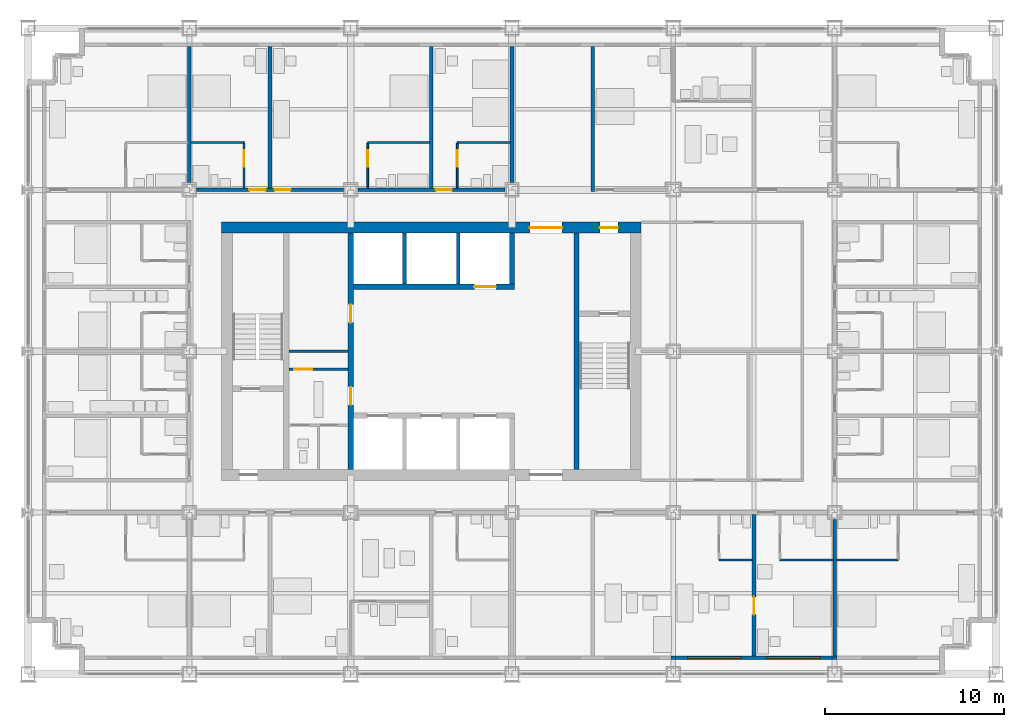
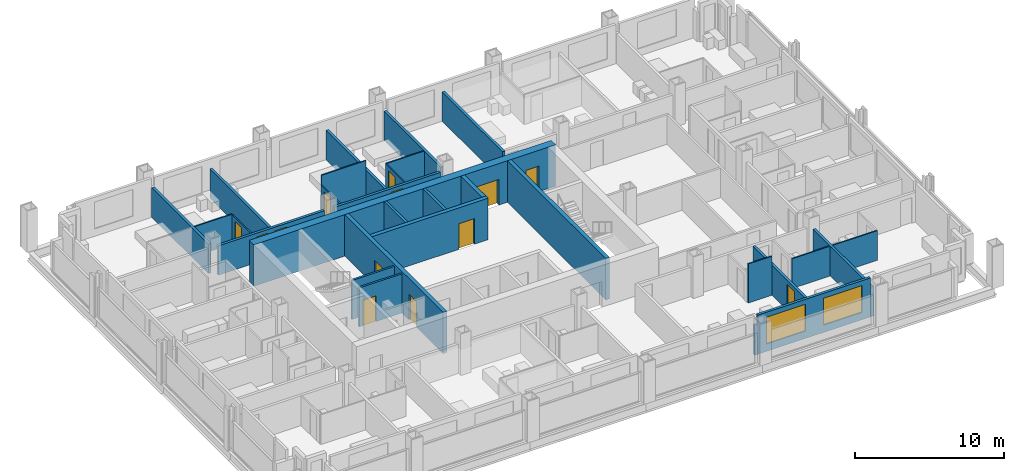
# One storey, part 12 of 18: 30 walls, 13 doors, 2 windows, 15 openings.
"""IFC4 building model written with IfcOpenShell, lengths in metres."""

from ifc_helpers import new_model, si_unit, direction, frame, frame_2d, origin, place, context, subcontext, project, spatial, rectangle, extrude, material, layer, layer_set, type_object, element, fill, save


model = new_model("IFC4")

# Units and contexts
model_context = context("Model", 3, precision=1e-05, world=origin(), true_north=direction((0.0, 1.0)))
body_context = subcontext(model_context, "Body", "Model", "MODEL_VIEW")
ifc_project = project(units=[si_unit("LENGTHUNIT", "METRE"), si_unit("AREAUNIT", "SQUARE_METRE"), si_unit("VOLUMEUNIT", "CUBIC_METRE"), si_unit("PLANEANGLEUNIT", "RADIAN"), si_unit("MASSUNIT", "GRAM", prefix="KILO")], contexts=[model_context])

# Site, building, storey
site_placement = place(None, origin())
site = spatial("IfcSite", under=ifc_project, at=site_placement, CompositionType="ELEMENT")
building_placement = place(site_placement, origin())
building = spatial("IfcBuilding", under=site, at=building_placement, Name="Loomwork Tower", CompositionType="ELEMENT")
storey_placement = place(building_placement, frame((0.0, 0.0, 55.199951171875)))
storey = spatial("IfcBuildingStorey", under=building, at=storey_placement, Name="L13", CompositionType="ELEMENT", Elevation=55.199951171875)

# Wall, openings, doors
ifc_material_1 = material(Name="Concrete 14000 psi (97 MPa)", Category="concrete")
ifc_layer_1 = layer(ifc_material_1, 0.300048828125)
ifc_layer_set_1 = layer_set([ifc_layer_1], Name="Core shear wall 300")
wall_type_1 = type_object("IfcWallType", Name="Core shear wall 300", PredefinedType="SHEAR", material=ifc_layer_set_1)
wall_1_placement = place(storey_placement, frame((18.0, 11.39990234375, 0.0), z_axis=(0.0, 0.0, 1.0), x_axis=(0.0, 1.0, 0.0)))
wall_1 = element("IfcWall", 1, at=wall_1_placement, inside=storey, type_object=wall_type_1, Name="Lobby west wall L13", PredefinedType="SHEAR", context=body_context, shape_type="SweptSolid", body=[
    extrude(rectangle(XDim=13.2001953125, YDim=0.300048828125, at=frame_2d((6.60009765625, 0.0))), origin(), (0.0, 0.0, 1.0), 3.400146484375),
])
opening_1_placement = place(wall_1_placement, frame((3.60009765625, 0.0, 0.0)))
opening_1 = element("IfcOpeningElement", 2, at=opening_1_placement, cuts=wall_1, Name="Opening D5", PredefinedType="OPENING", context=body_context, shape_type="SweptSolid", body=[
    extrude(rectangle(XDim=1.0, YDim=2.10009765625, at=frame_2d((0.5, 1.050048828125))), frame((0.0, 0.159912109375, 0.0), z_axis=(0.0, -1.0, 0.0), x_axis=(1.0, 0.0, 0.0)), (0.0, 0.0, 1.0), 0.320068359375),
])
opening_2_placement = place(wall_1_placement, frame((8.199951171875, 0.0, 0.0)))
opening_2 = element("IfcOpeningElement", 3, at=opening_2_placement, cuts=wall_1, Name="Opening D5", PredefinedType="OPENING", context=body_context, shape_type="SweptSolid", body=[
    extrude(rectangle(XDim=1.0, YDim=2.10009765625, at=frame_2d((0.5, 1.050048828125))), frame((0.0, 0.159912109375, 0.0), z_axis=(0.0, -1.0, 0.0), x_axis=(1.0, 0.0, 0.0)), (0.0, 0.0, 1.0), 0.320068359375),
])
ifc_material_2 = material(Name="Hollow metal door and frame")
door_type_1 = type_object("IfcDoorType", Name="Service door 1000", OperationType="SINGLE_SWING_LEFT", PredefinedType="DOOR", material=ifc_material_2)
door_1_placement = place(opening_1_placement, origin())
door_1 = element("IfcDoor", 4, at=door_1_placement, inside=storey, type_object=door_type_1, Name="Back-of-house door south", OperationType="SINGLE_SWING_LEFT", OverallHeight=2.10009765625, OverallWidth=1.0, PredefinedType="DOOR", context=body_context, shape_type="SweptSolid", body=[
    extrude(rectangle(XDim=1.0, YDim=2.10009765625, at=frame_2d((0.5, 1.050048828125))), frame((0.0, 0.02490234375, 0.0), z_axis=(0.0, -1.0, 0.0), x_axis=(1.0, 0.0, 0.0)), (0.0, 0.0, 1.0), 0.050048828125),
])
fill(opening_1, door_1)
door_2_placement = place(opening_2_placement, origin())
door_2 = element("IfcDoor", 5, at=door_2_placement, inside=storey, type_object=door_type_1, Name="Back-of-house door north", OperationType="SINGLE_SWING_RIGHT", OverallHeight=2.10009765625, OverallWidth=1.0, PredefinedType="DOOR", context=body_context, shape_type="SweptSolid", body=[
    extrude(rectangle(XDim=1.0, YDim=2.10009765625, at=frame_2d((0.5, 1.050048828125))), frame((0.0, 0.02490234375, 0.0), z_axis=(0.0, -1.0, 0.0), x_axis=(1.0, 0.0, 0.0)), (0.0, 0.0, 1.0), 0.050048828125),
])
fill(opening_2, door_2)

# Wall, opening, door
wall_2_placement = place(storey_placement, frame((18.14990234375, 21.60009765625, 0.0), z_axis=(0.0, 0.0, 1.0), x_axis=(1.0, 0.0, 0.0)))
wall_2 = element("IfcWall", 6, at=wall_2_placement, inside=storey, type_object=wall_type_1, Name="Lift front wall north L13", PredefinedType="SHEAR", context=body_context, shape_type="SweptSolid", body=[
    extrude(rectangle(XDim=9.0, YDim=0.300048828125, at=frame_2d((4.5, 0.0))), origin(), (0.0, 0.0, 1.0), 3.400146484375),
])
opening_3_placement = place(wall_2_placement, frame((6.75, 0.0, 0.0)))
opening_3 = element("IfcOpeningElement", 7, at=opening_3_placement, cuts=wall_2, Name="Opening LD2", PredefinedType="OPENING", context=body_context, shape_type="SweptSolid", body=[
    extrude(rectangle(XDim=1.199951171875, YDim=2.10009765625, at=frame_2d((0.60009765625, 1.050048828125))), frame((0.0, 0.159912109375, 0.0), z_axis=(0.0, -1.0, 0.0), x_axis=(1.0, 0.0, 0.0)), (0.0, 0.0, 1.0), 0.320068359375),
])
ifc_material_3 = material(Name="Hollow metal door and frame")
door_type_2 = type_object("IfcDoorType", Name="Lift landing door 1200", OperationType="SLIDING_TO_LEFT", PredefinedType="DOOR", material=ifc_material_3)
door_3_placement = place(opening_3_placement, origin())
door_3 = element("IfcDoor", 8, at=door_3_placement, inside=storey, type_object=door_type_2, Name="Lift landing door LF2", OperationType="SLIDING_TO_LEFT", OverallHeight=2.10009765625, OverallWidth=1.199951171875, PredefinedType="DOOR", context=body_context, shape_type="SweptSolid", body=[
    extrude(rectangle(XDim=1.199951171875, YDim=2.10009765625, at=frame_2d((0.60009765625, 1.050048828125))), frame((0.0, 0.02490234375, 0.0), z_axis=(0.0, -1.0, 0.0), x_axis=(1.0, 0.0, 0.0)), (0.0, 0.0, 1.0), 0.050048828125),
])
fill(opening_3, door_3)

# Walls
wall_3_placement = place(storey_placement, frame((27.0, 21.75, 0.0), z_axis=(0.0, 0.0, 1.0), x_axis=(0.0, 1.0, 0.0)))
element("IfcWall", 9, at=wall_3_placement, inside=storey, type_object=wall_type_1, Name="Lift shaft end wall north L13", PredefinedType="SHEAR", context=body_context, shape_type="SweptSolid", body=[
    extrude(rectangle(XDim=2.85009765625, YDim=0.300048828125, at=frame_2d((1.425048828125, 0.0))), origin(), (0.0, 0.0, 1.0), 3.400146484375),
])
wall_4_placement = place(storey_placement, frame((30.60009765625, 11.39990234375, 0.0), z_axis=(0.0, 0.0, 1.0), x_axis=(0.0, 1.0, 0.0)))
element("IfcWall", 10, at=wall_4_placement, inside=storey, type_object=wall_type_1, Name="Stair B west wall L13", PredefinedType="SHEAR", context=body_context, shape_type="SweptSolid", body=[
    extrude(rectangle(XDim=13.2001953125, YDim=0.300048828125, at=frame_2d((6.60009765625, 0.0))), origin(), (0.0, 0.0, 1.0), 3.400146484375),
])

# Wall, openings, doors
ifc_material_4 = material(Name="Concrete 14000 psi (97 MPa)", Category="concrete")
ifc_layer_2 = layer(ifc_material_4, 0.60009765625)
ifc_layer_set_2 = layer_set([ifc_layer_2], Name="Core shear wall 600")
wall_type_2 = type_object("IfcWallType", Name="Core shear wall 600", PredefinedType="SHEAR", material=ifc_layer_set_2)
wall_5_placement = place(storey_placement, frame((10.800048828125, 24.89990234375, 0.0), z_axis=(0.0, 0.0, 1.0), x_axis=(1.0, 0.0, 0.0)))
wall_5 = element("IfcWall", 11, at=wall_5_placement, inside=storey, type_object=wall_type_2, Name="Core wall north L13", PredefinedType="SHEAR", context=body_context, shape_type="SweptSolid", body=[
    extrude(rectangle(XDim=23.39990234375, YDim=0.60009765625, at=frame_2d((11.699951171875, 0.0))), origin(), (0.0, 0.0, 1.0), 3.400146484375),
])
opening_4_placement = place(wall_5_placement, frame((17.199951171875, 0.0, 0.0)))
opening_4 = element("IfcOpeningElement", 12, at=opening_4_placement, cuts=wall_5, Name="Opening D6", PredefinedType="OPENING", context=body_context, shape_type="SweptSolid", body=[
    extrude(rectangle(XDim=1.800048828125, YDim=2.10009765625, at=frame_2d((0.89990234375, 1.050048828125))), frame((0.0, 0.31005859375, 0.0), z_axis=(0.0, -1.0, 0.0), x_axis=(1.0, 0.0, 0.0)), (0.0, 0.0, 1.0), 0.6201171875),
])
opening_5_placement = place(wall_5_placement, frame((21.10009765625, 0.0, 0.0)))
opening_5 = element("IfcOpeningElement", 13, at=opening_5_placement, cuts=wall_5, Name="Opening D4", PredefinedType="OPENING", context=body_context, shape_type="SweptSolid", body=[
    extrude(rectangle(XDim=1.0, YDim=2.10009765625, at=frame_2d((0.5, 1.050048828125))), frame((0.0, 0.31005859375, 0.0), z_axis=(0.0, -1.0, 0.0), x_axis=(1.0, 0.0, 0.0)), (0.0, 0.0, 1.0), 0.6201171875),
])
ifc_material_5 = material(Name="Hollow metal door and frame")
door_type_3 = type_object("IfcDoorType", Name="Lobby passage double door 1800", OperationType="DOUBLE_DOOR_SINGLE_SWING", PredefinedType="DOOR", material=ifc_material_5)
door_4_placement = place(opening_4_placement, frame((1.800048828125, 0.0, 0.0), z_axis=(0.0, 0.0, 1.0), x_axis=(-1.0, 0.0, 0.0)))
door_4 = element("IfcDoor", 14, at=door_4_placement, inside=storey, type_object=door_type_3, Name="Lobby passage door north", OperationType="DOUBLE_DOOR_SINGLE_SWING", OverallHeight=2.10009765625, OverallWidth=1.800048828125, PredefinedType="DOOR", context=body_context, shape_type="SweptSolid", body=[
    extrude(rectangle(XDim=1.800048828125, YDim=2.10009765625, at=frame_2d((0.89990234375, 1.050048828125))), frame((0.0, 0.02490234375, 0.0), z_axis=(0.0, -1.0, 0.0), x_axis=(1.0, 0.0, 0.0)), (0.0, 0.0, 1.0), 0.050048828125),
])
fill(opening_4, door_4)
ifc_material_6 = material(Name="Hollow metal door and frame")
door_type_4 = type_object("IfcDoorType", Name="Stair door 1000", OperationType="SINGLE_SWING_RIGHT", PredefinedType="DOOR", material=ifc_material_6)
door_5_placement = place(opening_5_placement, frame((1.0, 0.0, 0.0), z_axis=(0.0, 0.0, 1.0), x_axis=(-1.0, 0.0, 0.0)))
door_5 = element("IfcDoor", 15, at=door_5_placement, inside=storey, type_object=door_type_4, Name="Stair B vestibule door", OperationType="SINGLE_SWING_LEFT", OverallHeight=2.10009765625, OverallWidth=1.0, PredefinedType="DOOR", context=body_context, shape_type="SweptSolid", body=[
    extrude(rectangle(XDim=1.0, YDim=2.10009765625, at=frame_2d((0.5, 1.050048828125))), frame((0.0, 0.02490234375, 0.0), z_axis=(0.0, -1.0, 0.0), x_axis=(1.0, 0.0, 0.0)), (0.0, 0.0, 1.0), 0.050048828125),
])
fill(opening_5, door_5)

ifc_material_7 = material(Name="Gypsum board on steel studs, one-hour", Category="steel")
ifc_layer_3 = layer(ifc_material_7, 0.199951171875)
ifc_layer_set_3 = layer_set([ifc_layer_3], Name="Corridor wall 200")
wall_type_3 = type_object("IfcWallType", Name="Corridor wall 200", PredefinedType="PARTITIONING", material=ifc_layer_set_3)
wall_6_placement = place(storey_placement, frame((9.39990234375, 27.0, 0.0), z_axis=(0.0, 0.0, 1.0), x_axis=(1.0, 0.0, 0.0)))
wall_6 = element("IfcWall", 16, at=wall_6_placement, inside=storey, type_object=wall_type_3, Name="North corridor wall 2", PredefinedType="PARTITIONING", context=body_context, shape_type="SweptSolid", body=[
    extrude(rectangle(XDim=8.2001953125, YDim=0.199951171875, at=frame_2d((4.10009765625, 0.0))), origin(), (0.0, 0.0, 1.0), 2.405029296875),
])
opening_6_placement = place(wall_6_placement, frame((2.949951171875, 0.0, 0.0)))
opening_6 = element("IfcOpeningElement", 17, at=opening_6_placement, cuts=wall_6, Name="Opening D1", PredefinedType="OPENING", context=body_context, shape_type="SweptSolid", body=[
    extrude(rectangle(XDim=0.89990234375, YDim=2.10009765625, at=frame_2d((0.449951171875, 1.050048828125))), frame((0.0, 0.10986328125, 0.0), z_axis=(0.0, -1.0, 0.0), x_axis=(1.0, 0.0, 0.0)), (0.0, 0.0, 1.0), 0.219970703125),
])
opening_7_placement = place(wall_6_placement, frame((4.35009765625, 0.0, 0.0)))
opening_7 = element("IfcOpeningElement", 18, at=opening_7_placement, cuts=wall_6, Name="Opening D1", PredefinedType="OPENING", context=body_context, shape_type="SweptSolid", body=[
    extrude(rectangle(XDim=0.89990234375, YDim=2.10009765625, at=frame_2d((0.449951171875, 1.050048828125))), frame((0.0, 0.10986328125, 0.0), z_axis=(0.0, -1.0, 0.0), x_axis=(1.0, 0.0, 0.0)), (0.0, 0.0, 1.0), 0.219970703125),
])
ifc_material_8 = material(Name="Hollow metal door and frame")
door_type_5 = type_object("IfcDoorType", Name="Guest room entry door 900", OperationType="SINGLE_SWING_LEFT", PredefinedType="DOOR", material=ifc_material_8)
door_6_placement = place(opening_6_placement, origin())
door_6 = element("IfcDoor", 19, at=door_6_placement, inside=storey, type_object=door_type_5, Name="Guest room entry door L13 9", OperationType="SINGLE_SWING_RIGHT", OverallHeight=2.10009765625, OverallWidth=0.89990234375, PredefinedType="DOOR", context=body_context, shape_type="SweptSolid", body=[
    extrude(rectangle(XDim=0.89990234375, YDim=2.10009765625, at=frame_2d((0.449951171875, 1.050048828125))), frame((0.0, 0.02490234375, 0.0), z_axis=(0.0, -1.0, 0.0), x_axis=(1.0, 0.0, 0.0)), (0.0, 0.0, 1.0), 0.050048828125),
])
fill(opening_6, door_6)
door_7_placement = place(opening_7_placement, origin())
door_7 = element("IfcDoor", 20, at=door_7_placement, inside=storey, type_object=door_type_5, Name="Guest room entry door L13 10", OperationType="SINGLE_SWING_LEFT", OverallHeight=2.10009765625, OverallWidth=0.89990234375, PredefinedType="DOOR", context=body_context, shape_type="SweptSolid", body=[
    extrude(rectangle(XDim=0.89990234375, YDim=2.10009765625, at=frame_2d((0.449951171875, 1.050048828125))), frame((0.0, 0.02490234375, 0.0), z_axis=(0.0, -1.0, 0.0), x_axis=(1.0, 0.0, 0.0)), (0.0, 0.0, 1.0), 0.050048828125),
])
fill(opening_7, door_7)

# Wall, opening, door
wall_7_placement = place(storey_placement, frame((18.39990234375, 27.0, 0.0), z_axis=(0.0, 0.0, 1.0), x_axis=(1.0, 0.0, 0.0)))
wall_7 = element("IfcWall", 21, at=wall_7_placement, inside=storey, type_object=wall_type_3, Name="North corridor wall 3", PredefinedType="PARTITIONING", context=body_context, shape_type="SweptSolid", body=[
    extrude(rectangle(XDim=8.2001953125, YDim=0.199951171875, at=frame_2d((4.10009765625, 0.0))), origin(), (0.0, 0.0, 1.0), 2.405029296875),
])
opening_8_placement = place(wall_7_placement, frame((4.35009765625, 0.0, 0.0)))
opening_8 = element("IfcOpeningElement", 22, at=opening_8_placement, cuts=wall_7, Name="Opening D1", PredefinedType="OPENING", context=body_context, shape_type="SweptSolid", body=[
    extrude(rectangle(XDim=0.89990234375, YDim=2.10009765625, at=frame_2d((0.449951171875, 1.050048828125))), frame((0.0, 0.10986328125, 0.0), z_axis=(0.0, -1.0, 0.0), x_axis=(1.0, 0.0, 0.0)), (0.0, 0.0, 1.0), 0.219970703125),
])
door_8_placement = place(opening_8_placement, origin())
door_8 = element("IfcDoor", 23, at=door_8_placement, inside=storey, type_object=door_type_5, Name="Guest room entry door L13 11", OperationType="SINGLE_SWING_LEFT", OverallHeight=2.10009765625, OverallWidth=0.89990234375, PredefinedType="DOOR", context=body_context, shape_type="SweptSolid", body=[
    extrude(rectangle(XDim=0.89990234375, YDim=2.10009765625, at=frame_2d((0.449951171875, 1.050048828125))), frame((0.0, 0.02490234375, 0.0), z_axis=(0.0, -1.0, 0.0), x_axis=(1.0, 0.0, 0.0)), (0.0, 0.0, 1.0), 0.050048828125),
])
fill(opening_8, door_8)

# Walls
ifc_material_9 = material(Name="Cement board on steel studs", Category="steel")
ifc_layer_4 = layer(ifc_material_9, 0.10009765625)
ifc_layer_set_4 = layer_set([ifc_layer_4], Name="En-suite partition 100")
wall_type_4 = type_object("IfcWallType", Name="En-suite partition 100", PredefinedType="PARTITIONING", material=ifc_layer_set_4)
wall_8_placement = place(storey_placement, frame((38.550048828125, 6.35009765625, 0.0), z_axis=(0.0, 0.0, 1.0), x_axis=(1.0, 0.0, 0.0)))
element("IfcWall", 24, at=wall_8_placement, inside=storey, type_object=wall_type_4, Name="En-suite wall L13 room 5", PredefinedType="PARTITIONING", context=body_context, shape_type="SweptSolid", body=[
    extrude(rectangle(XDim=1.849853515625, YDim=0.10009765625, at=frame_2d((0.9248046875, 0.0))), origin(), (0.0, 0.0, 1.0), 3.199951171875),
])
wall_9_placement = place(storey_placement, frame((41.949951171875, 6.35009765625, 0.0), z_axis=(0.0, 0.0, 1.0), x_axis=(1.0, 0.0, 0.0)))
element("IfcWall", 25, at=wall_9_placement, inside=storey, type_object=wall_type_4, Name="En-suite wall L13 room 6", PredefinedType="PARTITIONING", context=body_context, shape_type="SweptSolid", body=[
    extrude(rectangle(XDim=2.949951171875, YDim=0.10009765625, at=frame_2d((1.47509765625, 0.0))), origin(), (0.0, 0.0, 1.0), 2.43798828125),
])
wall_10_placement = place(storey_placement, frame((45.10009765625, 6.35009765625, 0.0), z_axis=(0.0, 0.0, 1.0), x_axis=(1.0, 0.0, 0.0)))
element("IfcWall", 26, at=wall_10_placement, inside=storey, type_object=wall_type_4, Name="En-suite wall L13 room 7", PredefinedType="PARTITIONING", context=body_context, shape_type="SweptSolid", body=[
    extrude(rectangle(XDim=3.449951171875, YDim=0.10009765625, at=frame_2d((1.72509765625, 0.0))), origin(), (0.0, 0.0, 1.0), 2.43798828125),
])
wall_11_placement = place(storey_placement, frame((9.10009765625, 29.64990234375, 0.0), z_axis=(0.0, 0.0, 1.0), x_axis=(1.0, 0.0, 0.0)))
element("IfcWall", 27, at=wall_11_placement, inside=storey, type_object=wall_type_4, Name="En-suite wall L13 room 9", PredefinedType="PARTITIONING", context=body_context, shape_type="SweptSolid", body=[
    extrude(rectangle(XDim=2.949951171875, YDim=0.10009765625, at=frame_2d((1.47509765625, 0.0))), origin(), (0.0, 0.0, 1.0), 2.43798828125),
])

# Wall, opening, door
wall_12_placement = place(storey_placement, frame((12.050048828125, 27.10009765625, 0.0), z_axis=(0.0, 0.0, 1.0), x_axis=(0.0, 1.0, 0.0)))
wall_12 = element("IfcWall", 28, at=wall_12_placement, inside=storey, type_object=wall_type_4, Name="En-suite side wall L13 room 9", PredefinedType="PARTITIONING", context=body_context, shape_type="SweptSolid", body=[
    extrude(rectangle(XDim=2.5, YDim=0.10009765625, at=frame_2d((1.25, 0.0))), origin(), (0.0, 0.0, 1.0), 2.404052734375),
])
opening_9_placement = place(wall_12_placement, frame((1.199951171875, 0.0, 0.0)))
opening_9 = element("IfcOpeningElement", 29, at=opening_9_placement, cuts=wall_12, Name="Opening D2", PredefinedType="OPENING", context=body_context, shape_type="SweptSolid", body=[
    extrude(rectangle(XDim=0.89990234375, YDim=2.10009765625, at=frame_2d((0.449951171875, 1.050048828125))), frame((0.0, 0.06005859375, 0.0), z_axis=(0.0, -1.0, 0.0), x_axis=(1.0, 0.0, 0.0)), (0.0, 0.0, 1.0), 0.1201171875),
])
ifc_material_10 = material(Name="Hollow metal door and frame")
door_type_6 = type_object("IfcDoorType", Name="En-suite door 900", OperationType="SINGLE_SWING_LEFT", PredefinedType="DOOR", material=ifc_material_10)
door_9_placement = place(opening_9_placement, origin())
door_9 = element("IfcDoor", 30, at=door_9_placement, inside=storey, type_object=door_type_6, Name="En-suite door room 9", OperationType="SINGLE_SWING_RIGHT", OverallHeight=2.10009765625, OverallWidth=0.89990234375, PredefinedType="DOOR", context=body_context, shape_type="SweptSolid", body=[
    extrude(rectangle(XDim=0.89990234375, YDim=2.10009765625, at=frame_2d((0.449951171875, 1.050048828125))), frame((0.0, 0.02490234375, 0.0), z_axis=(0.0, -1.0, 0.0), x_axis=(1.0, 0.0, 0.0)), (0.0, 0.0, 1.0), 0.050048828125),
])
fill(opening_9, door_9)

# Wall
wall_13_placement = place(storey_placement, frame((18.949951171875, 29.64990234375, 0.0), z_axis=(0.0, 0.0, 1.0), x_axis=(1.0, 0.0, 0.0)))
element("IfcWall", 31, at=wall_13_placement, inside=storey, type_object=wall_type_4, Name="En-suite wall L13 room 10", PredefinedType="PARTITIONING", context=body_context, shape_type="SweptSolid", body=[
    extrude(rectangle(XDim=3.449951171875, YDim=0.10009765625, at=frame_2d((1.72509765625, 0.0))), origin(), (0.0, 0.0, 1.0), 3.199951171875),
])

# Wall, opening, door
wall_14_placement = place(storey_placement, frame((18.949951171875, 27.10009765625, 0.0), z_axis=(0.0, 0.0, 1.0), x_axis=(0.0, 1.0, 0.0)))
wall_14 = element("IfcWall", 32, at=wall_14_placement, inside=storey, type_object=wall_type_4, Name="En-suite side wall L13 room 10", PredefinedType="PARTITIONING", context=body_context, shape_type="SweptSolid", body=[
    extrude(rectangle(XDim=2.5, YDim=0.10009765625, at=frame_2d((1.25, 0.0))), origin(), (0.0, 0.0, 1.0), 2.404052734375),
])
opening_10_placement = place(wall_14_placement, frame((1.199951171875, 0.0, 0.0)))
opening_10 = element("IfcOpeningElement", 33, at=opening_10_placement, cuts=wall_14, Name="Opening D2", PredefinedType="OPENING", context=body_context, shape_type="SweptSolid", body=[
    extrude(rectangle(XDim=0.89990234375, YDim=2.10009765625, at=frame_2d((0.449951171875, 1.050048828125))), frame((0.0, 0.06005859375, 0.0), z_axis=(0.0, -1.0, 0.0), x_axis=(1.0, 0.0, 0.0)), (0.0, 0.0, 1.0), 0.1201171875),
])
door_10_placement = place(opening_10_placement, frame((0.89990234375, 0.0, 0.0), z_axis=(0.0, 0.0, 1.0), x_axis=(-1.0, 0.0, 0.0)))
door_10 = element("IfcDoor", 34, at=door_10_placement, inside=storey, type_object=door_type_6, Name="En-suite door room 10", OperationType="SINGLE_SWING_LEFT", OverallHeight=2.10009765625, OverallWidth=0.89990234375, PredefinedType="DOOR", context=body_context, shape_type="SweptSolid", body=[
    extrude(rectangle(XDim=0.89990234375, YDim=2.10009765625, at=frame_2d((0.449951171875, 1.050048828125))), frame((0.0, 0.02490234375, 0.0), z_axis=(0.0, -1.0, 0.0), x_axis=(1.0, 0.0, 0.0)), (0.0, 0.0, 1.0), 0.050048828125),
])
fill(opening_10, door_10)

# Wall
wall_15_placement = place(storey_placement, frame((23.949951171875, 29.64990234375, 0.0), z_axis=(0.0, 0.0, 1.0), x_axis=(1.0, 0.0, 0.0)))
element("IfcWall", 35, at=wall_15_placement, inside=storey, type_object=wall_type_4, Name="En-suite wall L13 room 11", PredefinedType="PARTITIONING", context=body_context, shape_type="SweptSolid", body=[
    extrude(rectangle(XDim=2.949951171875, YDim=0.10009765625, at=frame_2d((1.47509765625, 0.0))), origin(), (0.0, 0.0, 1.0), 2.404052734375),
])

# Wall, opening, door
wall_16_placement = place(storey_placement, frame((23.949951171875, 27.10009765625, 0.0), z_axis=(0.0, 0.0, 1.0), x_axis=(0.0, 1.0, 0.0)))
wall_16 = element("IfcWall", 36, at=wall_16_placement, inside=storey, type_object=wall_type_4, Name="En-suite side wall L13 room 11", PredefinedType="PARTITIONING", context=body_context, shape_type="SweptSolid", body=[
    extrude(rectangle(XDim=2.5, YDim=0.10009765625, at=frame_2d((1.25, 0.0))), origin(), (0.0, 0.0, 1.0), 2.404052734375),
])
opening_11_placement = place(wall_16_placement, frame((1.199951171875, 0.0, 0.0)))
opening_11 = element("IfcOpeningElement", 37, at=opening_11_placement, cuts=wall_16, Name="Opening D2", PredefinedType="OPENING", context=body_context, shape_type="SweptSolid", body=[
    extrude(rectangle(XDim=0.89990234375, YDim=2.10009765625, at=frame_2d((0.449951171875, 1.050048828125))), frame((0.0, 0.06005859375, 0.0), z_axis=(0.0, -1.0, 0.0), x_axis=(1.0, 0.0, 0.0)), (0.0, 0.0, 1.0), 0.1201171875),
])
door_11_placement = place(opening_11_placement, frame((0.89990234375, 0.0, 0.0), z_axis=(0.0, 0.0, 1.0), x_axis=(-1.0, 0.0, 0.0)))
door_11 = element("IfcDoor", 38, at=door_11_placement, inside=storey, type_object=door_type_6, Name="En-suite door room 11", OperationType="SINGLE_SWING_LEFT", OverallHeight=2.10009765625, OverallWidth=0.89990234375, PredefinedType="DOOR", context=body_context, shape_type="SweptSolid", body=[
    extrude(rectangle(XDim=0.89990234375, YDim=2.10009765625, at=frame_2d((0.449951171875, 1.050048828125))), frame((0.0, 0.02490234375, 0.0), z_axis=(0.0, -1.0, 0.0), x_axis=(1.0, 0.0, 0.0)), (0.0, 0.0, 1.0), 0.050048828125),
])
fill(opening_11, door_11)

ifc_material_11 = material(Name="Gypsum board on steel studs, acoustic", Category="steel")
ifc_layer_5 = layer(ifc_material_11, 0.199951171875)
ifc_layer_set_5 = layer_set([ifc_layer_5], Name="Guest room party wall 200")
wall_type_5 = type_object("IfcWallType", Name="Guest room party wall 200", PredefinedType="PARTITIONING", material=ifc_layer_set_5)
wall_17_placement = place(storey_placement, frame((40.5, 8.89990234375, 0.0), z_axis=(0.0, 0.0, 1.0), x_axis=(0.0, -1.0, 0.0)))
wall_17 = element("IfcWall", 39, at=wall_17_placement, inside=storey, type_object=wall_type_5, Name="Guest room party wall S 40.5", PredefinedType="PARTITIONING", context=body_context, shape_type="SweptSolid", body=[
    extrude(rectangle(XDim=7.89990234375, YDim=0.199951171875, at=frame_2d((3.949951171875, 0.0))), origin(), (0.0, 0.0, 1.0), 2.43798828125),
])
opening_12_placement = place(wall_17_placement, frame((4.60009765625, 0.0, 0.0)))
opening_12 = element("IfcOpeningElement", 40, at=opening_12_placement, cuts=wall_17, Name="Opening D7", PredefinedType="OPENING", context=body_context, shape_type="SweptSolid", body=[
    extrude(rectangle(XDim=1.0, YDim=2.10009765625, at=frame_2d((0.5, 1.050048828125))), frame((0.0, 0.10986328125, 0.0), z_axis=(0.0, -1.0, 0.0), x_axis=(1.0, 0.0, 0.0)), (0.0, 0.0, 1.0), 0.219970703125),
])
ifc_material_12 = material(Name="Hollow metal door and frame")
door_type_7 = type_object("IfcDoorType", Name="Room door 1000", OperationType="SINGLE_SWING_LEFT", PredefinedType="DOOR", material=ifc_material_12)
door_12_placement = place(opening_12_placement, origin())
door_12 = element("IfcDoor", 41, at=door_12_placement, inside=storey, type_object=door_type_7, Name="Suite connecting door L13 S 40.5", OperationType="SINGLE_SWING_LEFT", OverallHeight=2.10009765625, OverallWidth=1.0, PredefinedType="DOOR", context=body_context, shape_type="SweptSolid", body=[
    extrude(rectangle(XDim=1.0, YDim=2.10009765625, at=frame_2d((0.5, 1.050048828125))), frame((0.0, 0.02490234375, 0.0), z_axis=(0.0, -1.0, 0.0), x_axis=(1.0, 0.0, 0.0)), (0.0, 0.0, 1.0), 0.050048828125),
])
fill(opening_12, door_12)

# Walls
for number, where, z_axis, x_axis, name in (
    (42, (45.0, 8.60009765625, 0.0), (0.0, 0.0, 1.0), (0.0, -1.0, 0.0), "Guest room party wall S 45"),
    (43, (9.0, 27.39990234375, 0.0), (0.0, 0.0, 1.0), (0.0, 1.0, 0.0), "Guest room party wall N 9"),
):
    element("IfcWall", number, at=place(storey_placement, frame(where, z_axis=z_axis, x_axis=x_axis)), inside=storey, type_object=wall_type_5, Name=name, PredefinedType="PARTITIONING", context=body_context, shape_type="SweptSolid", body=[
        extrude(rectangle(XDim=7.60009765625, YDim=0.199951171875, at=frame_2d((3.800048828125, 0.0))), origin(), (0.0, 0.0, 1.0), 2.43798828125),
    ])
for number, where, z_axis, x_axis, name in (
    (44, (13.5, 27.10009765625, 0.0), (0.0, 0.0, 1.0), (0.0, 1.0, 0.0), "Guest room party wall N 13.5"),
    (45, (22.5, 27.10009765625, 0.0), (0.0, 0.0, 1.0), (0.0, 1.0, 0.0), "Guest room party wall N 22.5"),
):
    element("IfcWall", number, at=place(storey_placement, frame(where, z_axis=z_axis, x_axis=x_axis)), inside=storey, type_object=wall_type_5, Name=name, PredefinedType="PARTITIONING", context=body_context, shape_type="SweptSolid", body=[
        extrude(rectangle(XDim=7.89990234375, YDim=0.199951171875, at=frame_2d((3.949951171875, 0.0))), origin(), (0.0, 0.0, 1.0), 2.404052734375),
    ])
wall_18_placement = place(storey_placement, frame((27.0, 27.39990234375, 0.0), z_axis=(0.0, 0.0, 1.0), x_axis=(0.0, 1.0, 0.0)))
element("IfcWall", 46, at=wall_18_placement, inside=storey, type_object=wall_type_5, Name="Guest room party wall N 27", PredefinedType="PARTITIONING", context=body_context, shape_type="SweptSolid", body=[
    extrude(rectangle(XDim=7.60009765625, YDim=0.199951171875, at=frame_2d((3.800048828125, 0.0))), origin(), (0.0, 0.0, 1.0), 2.405029296875),
])
wall_19_placement = place(storey_placement, frame((31.5, 26.89990234375, 0.0), z_axis=(0.0, 0.0, 1.0), x_axis=(0.0, 1.0, 0.0)))
element("IfcWall", 47, at=wall_19_placement, inside=storey, type_object=wall_type_5, Name="Guest room party wall N 31.5", PredefinedType="PARTITIONING", context=body_context, shape_type="SweptSolid", body=[
    extrude(rectangle(XDim=8.10009765625, YDim=0.199951171875, at=frame_2d((4.050048828125, 0.0))), origin(), (0.0, 0.0, 1.0), 2.404052734375),
])
ifc_material_13 = material(Name="Insulated steel stud wall with gypsum lining", Category="steel")
ifc_layer_6 = layer(ifc_material_13, 0.199951171875)
ifc_layer_set_6 = layer_set([ifc_layer_6], Name="Inner skin wall 200")
wall_type_6 = type_object("IfcWallType", Name="Inner skin wall 200", PredefinedType="SOLIDWALL", material=ifc_layer_set_6)
wall_20_placement = place(storey_placement, frame((35.864501953125, 0.89990234375, 0.0), z_axis=(0.0, 0.0, 1.0), x_axis=(1.0, 0.0, 0.0)))
element("IfcWall", 48, at=wall_20_placement, inside=storey, type_object=wall_type_6, Name="Inner skin wall S bay 8", PredefinedType="SOLIDWALL", context=body_context, shape_type="SweptSolid", body=[
    extrude(rectangle(XDim=0.27099609375, YDim=0.199951171875, at=frame_2d((0.135498046875, 0.0))), origin(), (0.0, 0.0, 1.0), 2.43798828125),
])

# Wall, openings, windows
wall_21_placement = place(storey_placement, frame((36.135498046875, 0.89990234375, 0.0), z_axis=(0.0, 0.0, 1.0), x_axis=(1.0, 0.0, 0.0)))
wall_21 = element("IfcWall", 49, at=wall_21_placement, inside=storey, type_object=wall_type_6, Name="Inner skin wall S bay 9", PredefinedType="SOLIDWALL", context=body_context, shape_type="SweptSolid", body=[
    extrude(rectangle(XDim=8.72900390625, YDim=0.199951171875, at=frame_2d((4.364501953125, 0.0))), origin(), (0.0, 0.0, 1.0), 3.199951171875),
])
opening_13_placement = place(wall_21_placement, frame((0.66455078125, 0.0, 0.60009765625)))
opening_13 = element("IfcOpeningElement", 50, at=opening_13_placement, cuts=wall_21, Name="Opening CH1", PredefinedType="OPENING", context=body_context, shape_type="SweptSolid", body=[
    extrude(rectangle(XDim=3.0, YDim=2.199951171875, at=frame_2d((1.5, 1.10009765625))), frame((0.0, 0.10986328125, 0.0), z_axis=(0.0, -1.0, 0.0), x_axis=(1.0, 0.0, 0.0)), (0.0, 0.0, 1.0), 0.219970703125),
])
opening_14_placement = place(wall_21_placement, frame((5.064697265625, 0.0, 0.60009765625)))
opening_14 = element("IfcOpeningElement", 51, at=opening_14_placement, cuts=wall_21, Name="Opening CH1", PredefinedType="OPENING", context=body_context, shape_type="SweptSolid", body=[
    extrude(rectangle(XDim=3.0, YDim=2.199951171875, at=frame_2d((1.5, 1.10009765625))), frame((0.0, 0.10986328125, 0.0), z_axis=(0.0, -1.0, 0.0), x_axis=(1.0, 0.0, 0.0)), (0.0, 0.0, 1.0), 0.219970703125),
])
ifc_material_14 = material(Name="Aluminium frame with clear insulated glass", Category="aluminium")
window_type = type_object("IfcWindowType", Name="Chicago window 3000", PartitioningType="TRIPLE_PANEL_VERTICAL", PredefinedType="WINDOW", material=ifc_material_14)
window_1_placement = place(opening_13_placement, origin())
window_1 = element("IfcWindow", 52, at=window_1_placement, inside=storey, type_object=window_type, Name="Chicago window L13 bay 5", OverallHeight=2.199951171875, OverallWidth=3.0, PartitioningType="TRIPLE_PANEL_VERTICAL", PredefinedType="WINDOW", context=body_context, shape_type="SweptSolid", body=[
    extrude(rectangle(XDim=3.0, YDim=2.199951171875, at=frame_2d((1.5, 1.10009765625))), frame((0.0, 0.030029296875, 0.0), z_axis=(0.0, -1.0, 0.0), x_axis=(1.0, 0.0, 0.0)), (0.0, 0.0, 1.0), 0.06005859375),
])
fill(opening_13, window_1)
window_2_placement = place(opening_14_placement, origin())
window_2 = element("IfcWindow", 53, at=window_2_placement, inside=storey, type_object=window_type, Name="Chicago window L13 bay 5", OverallHeight=2.199951171875, OverallWidth=3.0, PartitioningType="TRIPLE_PANEL_VERTICAL", PredefinedType="WINDOW", context=body_context, shape_type="SweptSolid", body=[
    extrude(rectangle(XDim=3.0, YDim=2.199951171875, at=frame_2d((1.5, 1.10009765625))), frame((0.0, 0.030029296875, 0.0), z_axis=(0.0, -1.0, 0.0), x_axis=(1.0, 0.0, 0.0)), (0.0, 0.0, 1.0), 0.06005859375),
])
fill(opening_14, window_2)

# Walls
wall_22_placement = place(storey_placement, frame((44.864501953125, 0.89990234375, 0.0), z_axis=(0.0, 0.0, 1.0), x_axis=(1.0, 0.0, 0.0)))
element("IfcWall", 54, at=wall_22_placement, inside=storey, type_object=wall_type_6, Name="Inner skin wall S bay 10", PredefinedType="SOLIDWALL", context=body_context, shape_type="SweptSolid", body=[
    extrude(rectangle(XDim=0.27099609375, YDim=0.199951171875, at=frame_2d((0.135498046875, 0.0))), origin(), (0.0, 0.0, 1.0), 2.43798828125),
])
ifc_material_15 = material(Name="Concrete 14000 psi (97 MPa)", Category="concrete")
ifc_layer_7 = layer(ifc_material_15, 0.199951171875)
ifc_layer_set_7 = layer_set([ifc_layer_7], Name="Lift shaft wall 200")
wall_type_7 = type_object("IfcWallType", Name="Lift shaft wall 200", PredefinedType="SHEAR", material=ifc_layer_set_7)
for number, where, z_axis, x_axis, name in (
    (55, (21.0, 21.75, 0.0), (0.0, 0.0, 1.0), (0.0, 1.0, 0.0), "Lift shaft separation wall north 1 L13"),
    (56, (24.0, 21.75, 0.0), (0.0, 0.0, 1.0), (0.0, 1.0, 0.0), "Lift shaft separation wall north 2 L13"),
):
    element("IfcWall", number, at=place(storey_placement, frame(where, z_axis=z_axis, x_axis=x_axis)), inside=storey, type_object=wall_type_7, Name=name, PredefinedType="SHEAR", context=body_context, shape_type="SweptSolid", body=[
        extrude(rectangle(XDim=2.85009765625, YDim=0.199951171875, at=frame_2d((1.425048828125, 0.0))), origin(), (0.0, 0.0, 1.0), 3.400146484375),
    ])
ifc_material_16 = material(Name="Gypsum board on steel studs", Category="steel")
ifc_layer_8 = layer(ifc_material_16, 0.14990234375)
ifc_layer_set_8 = layer_set([ifc_layer_8], Name="Partition 150 two-hour")
wall_type_8 = type_object("IfcWallType", Name="Partition 150 two-hour", PredefinedType="PARTITIONING", material=ifc_layer_set_8)
wall_23_placement = place(storey_placement, frame((14.550048828125, 18.0, 0.0), z_axis=(0.0, 0.0, 1.0), x_axis=(1.0, 0.0, 0.0)))
element("IfcWall", 57, at=wall_23_placement, inside=storey, type_object=wall_type_8, Name="Back-of-house dividing wall L13", PredefinedType="PARTITIONING", context=body_context, shape_type="SweptSolid", body=[
    extrude(rectangle(XDim=3.300048828125, YDim=0.14990234375, at=frame_2d((1.64990234375, 0.0))), origin(), (0.0, 0.0, 1.0), 3.199951171875),
])

# Wall, opening, door
ifc_material_17 = material(Name="Gypsum board on steel studs, one-hour", Category="steel")
ifc_layer_9 = layer(ifc_material_17, 0.14990234375)
ifc_layer_set_9 = layer_set([ifc_layer_9], Name="Service partition 150")
wall_type_9 = type_object("IfcWallType", Name="Service partition 150", PredefinedType="PARTITIONING", material=ifc_layer_set_9)
wall_24_placement = place(storey_placement, frame((14.550048828125, 17.0, 0.0), z_axis=(0.0, 0.0, 1.0), x_axis=(1.0, 0.0, 0.0)))
wall_24 = element("IfcWall", 58, at=wall_24_placement, inside=storey, type_object=wall_type_9, Name="Riser enclosure L13", PredefinedType="PARTITIONING", context=body_context, shape_type="SweptSolid", body=[
    extrude(rectangle(XDim=3.300048828125, YDim=0.14990234375, at=frame_2d((1.64990234375, 0.0))), origin(), (0.0, 0.0, 1.0), 3.199951171875),
])
opening_15_placement = place(wall_24_placement, frame((0.300048828125, 0.0, 0.0)))
opening_15 = element("IfcOpeningElement", 59, at=opening_15_placement, cuts=wall_24, Name="Opening D18", PredefinedType="OPENING", context=body_context, shape_type="SweptSolid", body=[
    extrude(rectangle(XDim=1.0, YDim=2.10009765625, at=frame_2d((0.5, 1.050048828125))), frame((0.0, 0.0849609375, 0.0), z_axis=(0.0, -1.0, 0.0), x_axis=(1.0, 0.0, 0.0)), (0.0, 0.0, 1.0), 0.169921875),
])
ifc_material_18 = material(Name="Hollow metal door and frame")
door_type_8 = type_object("IfcDoorType", Name="Ninety-minute service door 1000", OperationType="SINGLE_SWING_LEFT", PredefinedType="DOOR", material=ifc_material_18)
door_13_placement = place(opening_15_placement, frame((1.0, 0.0, 0.0), z_axis=(0.0, 0.0, 1.0), x_axis=(-1.0, 0.0, 0.0)))
door_13 = element("IfcDoor", 60, at=door_13_placement, inside=storey, type_object=door_type_8, Name="Riser access door", OperationType="SINGLE_SWING_RIGHT", OverallHeight=2.10009765625, OverallWidth=1.0, PredefinedType="DOOR", context=body_context, shape_type="SweptSolid", body=[
    extrude(rectangle(XDim=1.0, YDim=2.10009765625, at=frame_2d((0.5, 1.050048828125))), frame((0.0, 0.02490234375, 0.0), z_axis=(0.0, -1.0, 0.0), x_axis=(1.0, 0.0, 0.0)), (0.0, 0.0, 1.0), 0.050048828125),
])
fill(opening_15, door_13)

save(model, "model.ifc")
